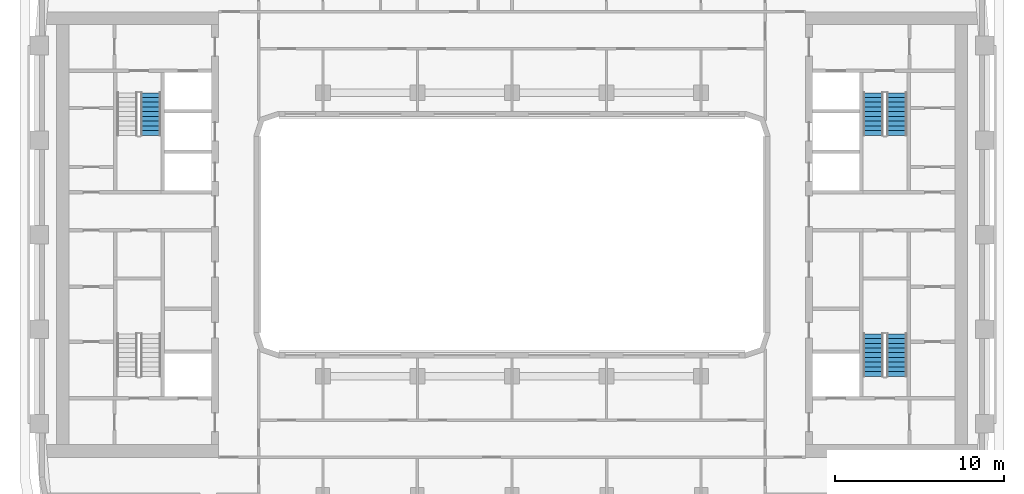
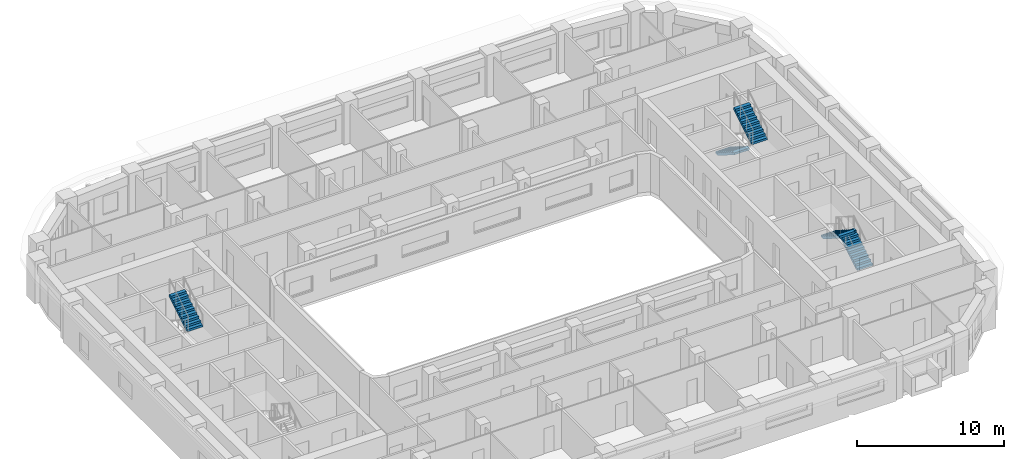
# One storey, part 10 of 22: 5 stair flights, 3 elements without a shape of their own.
"""IFC4 building model written with IfcOpenShell, lengths in metres."""

from ifc_helpers import new_model, si_unit, direction, frame, origin, place, context, subcontext, project, spatial, polyline, outline, extrude, material, type_object, element, aggregate, save


model = new_model("IFC4")

# Units and contexts
model_context = context("Model", 3, precision=1e-05, world=origin(), true_north=direction((0.0, 1.0)))
body_context = subcontext(model_context, "Body", "Model", "MODEL_VIEW")
ifc_project = project(units=[si_unit("LENGTHUNIT", "METRE"), si_unit("AREAUNIT", "SQUARE_METRE"), si_unit("VOLUMEUNIT", "CUBIC_METRE"), si_unit("PLANEANGLEUNIT", "RADIAN"), si_unit("MASSUNIT", "GRAM", prefix="KILO")], contexts=[model_context])

# Site, building, storey
site_placement = place(None, origin())
site = spatial("IfcSite", under=ifc_project, at=site_placement, CompositionType="ELEMENT")
building_placement = place(site_placement, origin())
building = spatial("IfcBuilding", under=site, at=building_placement, Name="Kiln Ring Residences", CompositionType="ELEMENT")
storey_placement = place(building_placement, frame((0.0, 0.0, 150.10009765625)))
storey = spatial("IfcBuildingStorey", under=building, at=storey_placement, Name="L38", CompositionType="ELEMENT", Elevation=150.10009765625)

# Stair, stair flight
ifc_material_1 = material(Name="Concrete C40/50", Category="concrete")
stair_type = type_object("IfcStairType", Name="CORE-STAIR", PredefinedType="HALF_TURN_STAIR", material=ifc_material_1)
placement = place(storey_placement, origin())
stair_1 = element("IfcStair", 1, at=placement, inside=storey, type_object=stair_type, Name="L38 stair W-STN", PredefinedType="HALF_TURN_STAIR")
ifc_material_2 = material(Name="Concrete C40/50", Category="concrete")
stair_flight_type = type_object("IfcStairFlightType", Name="CORE-STAIR-FLIGHT", PredefinedType="STRAIGHT", material=ifc_material_2)
stair_flight_1_placement = place(storey_placement, frame((-21.39990234375, 5.8798828125, 1.75), z_axis=(0.0, 0.0, 1.0), x_axis=(0.0, 1.0, 0.0)))
stair_flight_1 = element("IfcStairFlight", 2, at=stair_flight_1_placement, type_object=stair_flight_type, Name="W-STN flight 2", NumberOfRisers=10, NumberOfTreads=9, PredefinedType="STRAIGHT", RiserHeight=0.175, TreadLength=0.28, context=body_context, shape_type="SweptSolid", body=[
    extrude(outline(polyline([(0.0, 0.0), (0.0, 0.175048828125), (0.280029296875, 0.175048828125), (0.280029296875, 0.35009765625), (0.56005859375, 0.35009765625), (0.56005859375, 0.52490234375), (0.840087890625, 0.52490234375), (0.840087890625, 0.699951171875), (1.1201171875, 0.699951171875), (1.1201171875, 0.875), (1.39990234375, 0.875), (1.39990234375, 1.050048828125), (1.679931640625, 1.050048828125), (1.679931640625, 1.22509765625), (1.9599609375, 1.22509765625), (1.9599609375, 1.39990234375), (2.239990234375, 1.39990234375), (2.239990234375, 1.574951171875), (2.52001953125, 1.574951171875), (2.52001953125, 1.75), (2.52001953125, 1.398193359375), (0.28271484375, 0.0), (0.0, 0.0)])), frame((0.0, 0.60009765625, 0.0), z_axis=(0.0, -1.0, 0.0), x_axis=(1.0, 0.0, 0.0)), (0.0, 0.0, 1.0), 1.199951171875),
])
aggregate(stair_1, [stair_flight_1])

# Stair, stair flights
stair_2 = element("IfcStair", 3, at=placement, inside=storey, type_object=stair_type, Name="L38 stair E-STN", PredefinedType="HALF_TURN_STAIR")
stair_flight_2_placement = place(storey_placement, frame((21.39990234375, 8.39990234375, 0.0), z_axis=(0.0, 0.0, 1.0), x_axis=(0.0, -1.0, 0.0)))
stair_flight_2 = element("IfcStairFlight", 4, at=stair_flight_2_placement, type_object=stair_flight_type, Name="E-STN flight 1", NumberOfRisers=10, NumberOfTreads=9, PredefinedType="STRAIGHT", RiserHeight=0.175, TreadLength=0.28, context=body_context, shape_type="SweptSolid", body=[
    extrude(outline(polyline([(0.0, 0.0), (0.0, 0.175048828125), (0.280029296875, 0.175048828125), (0.280029296875, 0.35009765625), (0.56005859375, 0.35009765625), (0.56005859375, 0.52490234375), (0.840087890625, 0.52490234375), (0.840087890625, 0.699951171875), (1.1201171875, 0.699951171875), (1.1201171875, 0.875), (1.39990234375, 0.875), (1.39990234375, 1.050048828125), (1.679931640625, 1.050048828125), (1.679931640625, 1.22509765625), (1.9599609375, 1.22509765625), (1.9599609375, 1.39990234375), (2.239990234375, 1.39990234375), (2.239990234375, 1.574951171875), (2.52001953125, 1.574951171875), (2.52001953125, 1.75), (2.52001953125, 1.398193359375), (0.28271484375, 0.0), (0.0, 0.0)])), frame((0.0, 0.60009765625, 0.0), z_axis=(0.0, -1.0, 0.0), x_axis=(1.0, 0.0, 0.0)), (0.0, 0.0, 1.0), 1.199951171875),
])
stair_flight_3_placement = place(storey_placement, frame((22.800048828125, 5.8798828125, 1.75), z_axis=(0.0, 0.0, 1.0), x_axis=(0.0, 1.0, 0.0)))
stair_flight_3 = element("IfcStairFlight", 5, at=stair_flight_3_placement, type_object=stair_flight_type, Name="E-STN flight 2", NumberOfRisers=10, NumberOfTreads=9, PredefinedType="STRAIGHT", RiserHeight=0.175, TreadLength=0.28, context=body_context, shape_type="SweptSolid", body=[
    extrude(outline(polyline([(0.0, 0.0), (0.0, 0.175048828125), (0.280029296875, 0.175048828125), (0.280029296875, 0.35009765625), (0.56005859375, 0.35009765625), (0.56005859375, 0.52490234375), (0.840087890625, 0.52490234375), (0.840087890625, 0.699951171875), (1.1201171875, 0.699951171875), (1.1201171875, 0.875), (1.39990234375, 0.875), (1.39990234375, 1.050048828125), (1.679931640625, 1.050048828125), (1.679931640625, 1.22509765625), (1.9599609375, 1.22509765625), (1.9599609375, 1.39990234375), (2.239990234375, 1.39990234375), (2.239990234375, 1.574951171875), (2.52001953125, 1.574951171875), (2.52001953125, 1.75), (2.52001953125, 1.398193359375), (0.28271484375, 0.0), (0.0, 0.0)])), frame((0.0, 0.60009765625, 0.0), z_axis=(0.0, -1.0, 0.0), x_axis=(1.0, 0.0, 0.0)), (0.0, 0.0, 1.0), 1.199951171875),
])
aggregate(stair_2, [stair_flight_2, stair_flight_3])

stair_3 = element("IfcStair", 6, at=placement, inside=storey, type_object=stair_type, Name="L38 stair E-STS", PredefinedType="HALF_TURN_STAIR")
stair_flight_4_placement = place(storey_placement, frame((22.800048828125, -8.39990234375, 0.0), z_axis=(0.0, 0.0, 1.0), x_axis=(0.0, 1.0, 0.0)))
stair_flight_4 = element("IfcStairFlight", 7, at=stair_flight_4_placement, type_object=stair_flight_type, Name="E-STS flight 1", NumberOfRisers=10, NumberOfTreads=9, PredefinedType="STRAIGHT", RiserHeight=0.175, TreadLength=0.28, context=body_context, shape_type="SweptSolid", body=[
    extrude(outline(polyline([(0.0, 0.0), (0.0, 0.175048828125), (0.280029296875, 0.175048828125), (0.280029296875, 0.35009765625), (0.56005859375, 0.35009765625), (0.56005859375, 0.52490234375), (0.840087890625, 0.52490234375), (0.840087890625, 0.699951171875), (1.1201171875, 0.699951171875), (1.1201171875, 0.875), (1.39990234375, 0.875), (1.39990234375, 1.050048828125), (1.679931640625, 1.050048828125), (1.679931640625, 1.22509765625), (1.9599609375, 1.22509765625), (1.9599609375, 1.39990234375), (2.239990234375, 1.39990234375), (2.239990234375, 1.574951171875), (2.52001953125, 1.574951171875), (2.52001953125, 1.75), (2.52001953125, 1.398193359375), (0.28271484375, 0.0), (0.0, 0.0)])), frame((0.0, 0.60009765625, 0.0), z_axis=(0.0, -1.0, 0.0), x_axis=(1.0, 0.0, 0.0)), (0.0, 0.0, 1.0), 1.199951171875),
])
stair_flight_5_placement = place(storey_placement, frame((21.39990234375, -5.8798828125, 1.75), z_axis=(0.0, 0.0, 1.0), x_axis=(0.0, -1.0, 0.0)))
stair_flight_5 = element("IfcStairFlight", 8, at=stair_flight_5_placement, type_object=stair_flight_type, Name="E-STS flight 2", NumberOfRisers=10, NumberOfTreads=9, PredefinedType="STRAIGHT", RiserHeight=0.175, TreadLength=0.28, context=body_context, shape_type="SweptSolid", body=[
    extrude(outline(polyline([(0.0, 0.0), (0.0, 0.175048828125), (0.280029296875, 0.175048828125), (0.280029296875, 0.35009765625), (0.56005859375, 0.35009765625), (0.56005859375, 0.52490234375), (0.840087890625, 0.52490234375), (0.840087890625, 0.699951171875), (1.1201171875, 0.699951171875), (1.1201171875, 0.875), (1.39990234375, 0.875), (1.39990234375, 1.050048828125), (1.679931640625, 1.050048828125), (1.679931640625, 1.22509765625), (1.9599609375, 1.22509765625), (1.9599609375, 1.39990234375), (2.239990234375, 1.39990234375), (2.239990234375, 1.574951171875), (2.52001953125, 1.574951171875), (2.52001953125, 1.75), (2.52001953125, 1.398193359375), (0.28271484375, 0.0), (0.0, 0.0)])), frame((0.0, 0.60009765625, 0.0), z_axis=(0.0, -1.0, 0.0), x_axis=(1.0, 0.0, 0.0)), (0.0, 0.0, 1.0), 1.199951171875),
])
aggregate(stair_3, [stair_flight_4, stair_flight_5])

save(model, "model.ifc")
